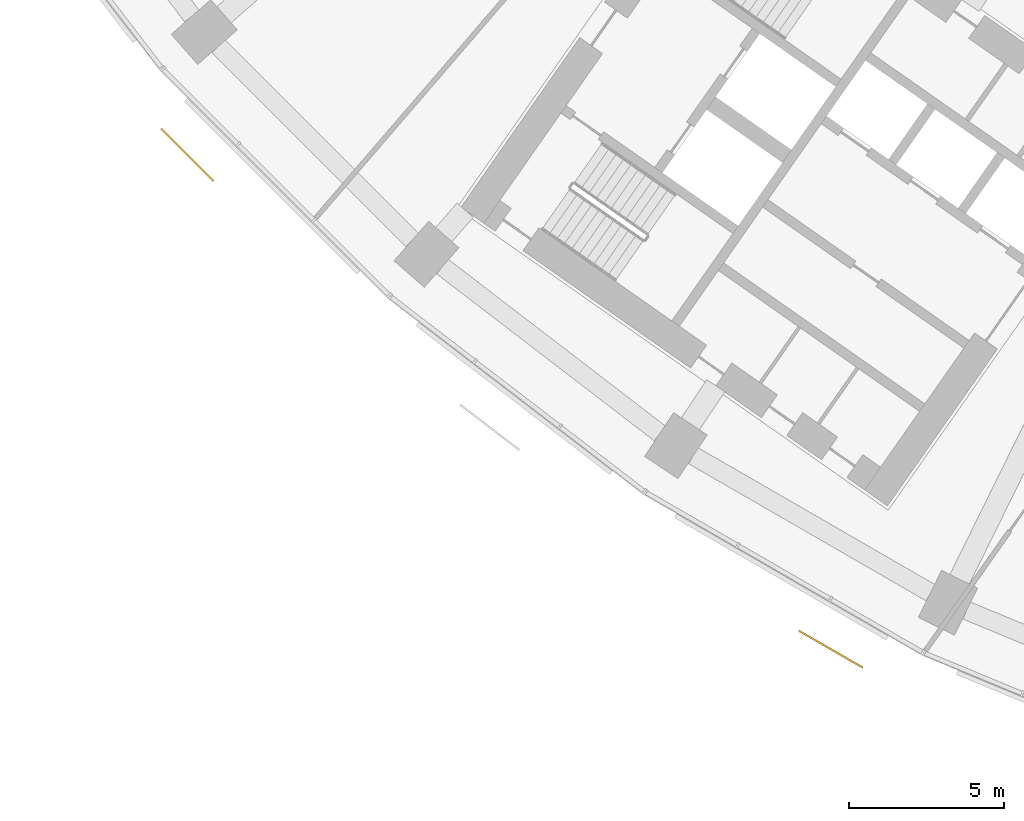
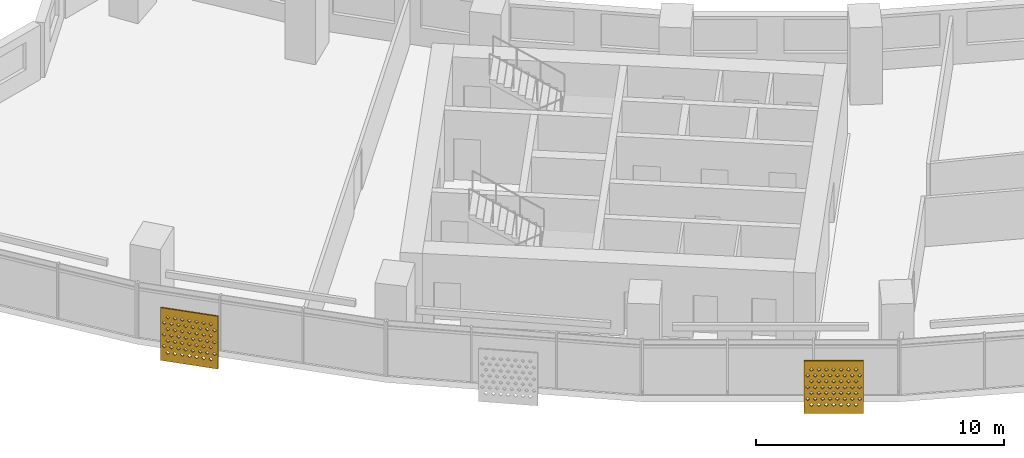
# One storey, part 24 of 29: 2 shading devices.
"""IFC4 building model written with IfcOpenShell, lengths in metres."""

from ifc_helpers import new_model, si_unit, direction, frame, origin, place, context, subcontext, project, spatial, polyline, outline, extrude, material, material_profile, profile_set, type_object, element, save


model = new_model("IFC4")

# Units and contexts
model_context = context("Model", 3, precision=1e-05, world=origin(), true_north=direction((0.0, 1.0)))
body_context = subcontext(model_context, "Body", "Model", "MODEL_VIEW")
ifc_project = project(units=[si_unit("LENGTHUNIT", "METRE"), si_unit("AREAUNIT", "SQUARE_METRE"), si_unit("VOLUMEUNIT", "CUBIC_METRE"), si_unit("PLANEANGLEUNIT", "RADIAN"), si_unit("MASSUNIT", "GRAM", prefix="KILO")], contexts=[model_context])

# Site, building, storey
site_placement = place(None, origin())
site = spatial("IfcSite", under=ifc_project, at=site_placement, CompositionType="ELEMENT")
building_placement = place(site_placement, origin())
building = spatial("IfcBuilding", under=site, at=building_placement, Name="Qamariyya Broadcast Tower", CompositionType="ELEMENT")
storey_placement = place(building_placement, frame((0.0, 0.0, 44.300048828125)))
storey = spatial("IfcBuildingStorey", under=building, at=storey_placement, Name="L07", CompositionType="ELEMENT", Elevation=44.300048828125)

# Shading devices
ifc_material = material(Name="Perforated glazed terracotta", Category="masonry")
ifc_material_profile = material_profile(ifc_material, outline(polyline([(-1.199951171875, -1.300048828125), (1.199951171875, -1.300048828125), (1.199951171875, 1.300048828125), (-1.199951171875, 1.300048828125), (-1.199951171875, -1.300048828125)]), holes=[polyline([(-0.81494140625, -0.86669921875), (-0.89990234375, -0.78173828125), (-0.985107421875, -0.86669921875), (-0.89990234375, -0.95166015625), (-0.81494140625, -0.86669921875)]), polyline([(-0.514892578125, -0.86669921875), (-0.60009765625, -0.78173828125), (-0.68505859375, -0.86669921875), (-0.60009765625, -0.95166015625), (-0.514892578125, -0.86669921875)]), polyline([(-0.215087890625, -0.86669921875), (-0.300048828125, -0.78173828125), (-0.385009765625, -0.86669921875), (-0.300048828125, -0.95166015625), (-0.215087890625, -0.86669921875)]), polyline([(0.0849609375, -0.86669921875), (0.0, -0.78173828125), (-0.0849609375, -0.86669921875), (0.0, -0.95166015625), (0.0849609375, -0.86669921875)]), polyline([(0.385009765625, -0.86669921875), (0.300048828125, -0.78173828125), (0.215087890625, -0.86669921875), (0.300048828125, -0.95166015625), (0.385009765625, -0.86669921875)]), polyline([(0.68505859375, -0.86669921875), (0.60009765625, -0.78173828125), (0.514892578125, -0.86669921875), (0.60009765625, -0.95166015625), (0.68505859375, -0.86669921875)]), polyline([(0.985107421875, -0.86669921875), (0.89990234375, -0.78173828125), (0.81494140625, -0.86669921875), (0.89990234375, -0.95166015625), (0.985107421875, -0.86669921875)]), polyline([(-0.965087890625, -0.577880859375), (-1.050048828125, -0.49267578125), (-1.135009765625, -0.577880859375), (-1.050048828125, -0.662841796875), (-0.965087890625, -0.577880859375)]), polyline([(-0.6650390625, -0.577880859375), (-0.75, -0.49267578125), (-0.8349609375, -0.577880859375), (-0.75, -0.662841796875), (-0.6650390625, -0.577880859375)]), polyline([(-0.364990234375, -0.577880859375), (-0.449951171875, -0.49267578125), (-0.534912109375, -0.577880859375), (-0.449951171875, -0.662841796875), (-0.364990234375, -0.577880859375)]), polyline([(-0.06494140625, -0.577880859375), (-0.14990234375, -0.49267578125), (-0.235107421875, -0.577880859375), (-0.14990234375, -0.662841796875), (-0.06494140625, -0.577880859375)]), polyline([(0.235107421875, -0.577880859375), (0.14990234375, -0.49267578125), (0.06494140625, -0.577880859375), (0.14990234375, -0.662841796875), (0.235107421875, -0.577880859375)]), polyline([(0.534912109375, -0.577880859375), (0.449951171875, -0.49267578125), (0.364990234375, -0.577880859375), (0.449951171875, -0.662841796875), (0.534912109375, -0.577880859375)]), polyline([(0.8349609375, -0.577880859375), (0.75, -0.49267578125), (0.6650390625, -0.577880859375), (0.75, -0.662841796875), (0.8349609375, -0.577880859375)]), polyline([(1.135009765625, -0.577880859375), (1.050048828125, -0.49267578125), (0.965087890625, -0.577880859375), (1.050048828125, -0.662841796875), (1.135009765625, -0.577880859375)]), polyline([(-0.81494140625, -0.288818359375), (-0.89990234375, -0.203857421875), (-0.985107421875, -0.288818359375), (-0.89990234375, -0.373779296875), (-0.81494140625, -0.288818359375)]), polyline([(-0.514892578125, -0.288818359375), (-0.60009765625, -0.203857421875), (-0.68505859375, -0.288818359375), (-0.60009765625, -0.373779296875), (-0.514892578125, -0.288818359375)]), polyline([(-0.215087890625, -0.288818359375), (-0.300048828125, -0.203857421875), (-0.385009765625, -0.288818359375), (-0.300048828125, -0.373779296875), (-0.215087890625, -0.288818359375)]), polyline([(0.0849609375, -0.288818359375), (0.0, -0.203857421875), (-0.0849609375, -0.288818359375), (0.0, -0.373779296875), (0.0849609375, -0.288818359375)]), polyline([(0.385009765625, -0.288818359375), (0.300048828125, -0.203857421875), (0.215087890625, -0.288818359375), (0.300048828125, -0.373779296875), (0.385009765625, -0.288818359375)]), polyline([(0.68505859375, -0.288818359375), (0.60009765625, -0.203857421875), (0.514892578125, -0.288818359375), (0.60009765625, -0.373779296875), (0.68505859375, -0.288818359375)]), polyline([(0.985107421875, -0.288818359375), (0.89990234375, -0.203857421875), (0.81494140625, -0.288818359375), (0.89990234375, -0.373779296875), (0.985107421875, -0.288818359375)]), polyline([(-0.965087890625, 0.0), (-1.050048828125, 0.0849609375), (-1.135009765625, 0.0), (-1.050048828125, -0.0849609375), (-0.965087890625, 0.0)]), polyline([(-0.6650390625, 0.0), (-0.75, 0.0849609375), (-0.8349609375, 0.0), (-0.75, -0.0849609375), (-0.6650390625, 0.0)]), polyline([(-0.364990234375, 0.0), (-0.449951171875, 0.0849609375), (-0.534912109375, 0.0), (-0.449951171875, -0.0849609375), (-0.364990234375, 0.0)]), polyline([(-0.06494140625, 0.0), (-0.14990234375, 0.0849609375), (-0.235107421875, 0.0), (-0.14990234375, -0.0849609375), (-0.06494140625, 0.0)]), polyline([(0.235107421875, 0.0), (0.14990234375, 0.0849609375), (0.06494140625, 0.0), (0.14990234375, -0.0849609375), (0.235107421875, 0.0)]), polyline([(0.534912109375, 0.0), (0.449951171875, 0.0849609375), (0.364990234375, 0.0), (0.449951171875, -0.0849609375), (0.534912109375, 0.0)]), polyline([(0.8349609375, 0.0), (0.75, 0.0849609375), (0.6650390625, 0.0), (0.75, -0.0849609375), (0.8349609375, 0.0)]), polyline([(1.135009765625, 0.0), (1.050048828125, 0.0849609375), (0.965087890625, 0.0), (1.050048828125, -0.0849609375), (1.135009765625, 0.0)]), polyline([(-0.81494140625, 0.288818359375), (-0.89990234375, 0.373779296875), (-0.985107421875, 0.288818359375), (-0.89990234375, 0.203857421875), (-0.81494140625, 0.288818359375)]), polyline([(-0.514892578125, 0.288818359375), (-0.60009765625, 0.373779296875), (-0.68505859375, 0.288818359375), (-0.60009765625, 0.203857421875), (-0.514892578125, 0.288818359375)]), polyline([(-0.215087890625, 0.288818359375), (-0.300048828125, 0.373779296875), (-0.385009765625, 0.288818359375), (-0.300048828125, 0.203857421875), (-0.215087890625, 0.288818359375)]), polyline([(0.0849609375, 0.288818359375), (0.0, 0.373779296875), (-0.0849609375, 0.288818359375), (0.0, 0.203857421875), (0.0849609375, 0.288818359375)]), polyline([(0.385009765625, 0.288818359375), (0.300048828125, 0.373779296875), (0.215087890625, 0.288818359375), (0.300048828125, 0.203857421875), (0.385009765625, 0.288818359375)]), polyline([(0.68505859375, 0.288818359375), (0.60009765625, 0.373779296875), (0.514892578125, 0.288818359375), (0.60009765625, 0.203857421875), (0.68505859375, 0.288818359375)]), polyline([(0.985107421875, 0.288818359375), (0.89990234375, 0.373779296875), (0.81494140625, 0.288818359375), (0.89990234375, 0.203857421875), (0.985107421875, 0.288818359375)]), polyline([(-0.965087890625, 0.577880859375), (-1.050048828125, 0.662841796875), (-1.135009765625, 0.577880859375), (-1.050048828125, 0.49267578125), (-0.965087890625, 0.577880859375)]), polyline([(-0.6650390625, 0.577880859375), (-0.75, 0.662841796875), (-0.8349609375, 0.577880859375), (-0.75, 0.49267578125), (-0.6650390625, 0.577880859375)]), polyline([(-0.364990234375, 0.577880859375), (-0.449951171875, 0.662841796875), (-0.534912109375, 0.577880859375), (-0.449951171875, 0.49267578125), (-0.364990234375, 0.577880859375)]), polyline([(-0.06494140625, 0.577880859375), (-0.14990234375, 0.662841796875), (-0.235107421875, 0.577880859375), (-0.14990234375, 0.49267578125), (-0.06494140625, 0.577880859375)]), polyline([(0.235107421875, 0.577880859375), (0.14990234375, 0.662841796875), (0.06494140625, 0.577880859375), (0.14990234375, 0.49267578125), (0.235107421875, 0.577880859375)]), polyline([(0.534912109375, 0.577880859375), (0.449951171875, 0.662841796875), (0.364990234375, 0.577880859375), (0.449951171875, 0.49267578125), (0.534912109375, 0.577880859375)]), polyline([(0.8349609375, 0.577880859375), (0.75, 0.662841796875), (0.6650390625, 0.577880859375), (0.75, 0.49267578125), (0.8349609375, 0.577880859375)]), polyline([(1.135009765625, 0.577880859375), (1.050048828125, 0.662841796875), (0.965087890625, 0.577880859375), (1.050048828125, 0.49267578125), (1.135009765625, 0.577880859375)]), polyline([(-0.81494140625, 0.86669921875), (-0.89990234375, 0.95166015625), (-0.985107421875, 0.86669921875), (-0.89990234375, 0.78173828125), (-0.81494140625, 0.86669921875)]), polyline([(-0.514892578125, 0.86669921875), (-0.60009765625, 0.95166015625), (-0.68505859375, 0.86669921875), (-0.60009765625, 0.78173828125), (-0.514892578125, 0.86669921875)]), polyline([(-0.215087890625, 0.86669921875), (-0.300048828125, 0.95166015625), (-0.385009765625, 0.86669921875), (-0.300048828125, 0.78173828125), (-0.215087890625, 0.86669921875)]), polyline([(0.0849609375, 0.86669921875), (0.0, 0.95166015625), (-0.0849609375, 0.86669921875), (0.0, 0.78173828125), (0.0849609375, 0.86669921875)]), polyline([(0.385009765625, 0.86669921875), (0.300048828125, 0.95166015625), (0.215087890625, 0.86669921875), (0.300048828125, 0.78173828125), (0.385009765625, 0.86669921875)]), polyline([(0.68505859375, 0.86669921875), (0.60009765625, 0.95166015625), (0.514892578125, 0.86669921875), (0.60009765625, 0.78173828125), (0.68505859375, 0.86669921875)]), polyline([(0.985107421875, 0.86669921875), (0.89990234375, 0.95166015625), (0.81494140625, 0.86669921875), (0.89990234375, 0.78173828125), (0.985107421875, 0.86669921875)])]))
ifc_profile_set = profile_set([ifc_material_profile], Name="Perforated glazed terracotta")
shading_device_type = type_object("IfcShadingDeviceType", Name="Perforated terracotta screen 2400 x 2600", PredefinedType="USERDEFINED", material=ifc_profile_set)
shading_device_1_placement = place(storey_placement, frame((-58.977294921875, -55.2197265625, 1.349853515625), z_axis=(-0.707106781187, -0.707106781187, 0.0), x_axis=(0.707106781187, -0.707106781187, 0.0)))
element("IfcShadingDevice", 1, at=shading_device_1_placement, inside=storey, type_object=shading_device_type, Name="e-scr-L07-02-0", ObjectType="SCREEN", PredefinedType="USERDEFINED", context=body_context, shape_type="SweptSolid", body=[
    extrude(outline(polyline([(-1.199951171875, -1.300048828125), (1.199951171875, -1.300048828125), (1.199951171875, 1.300048828125), (-1.199951171875, 1.300048828125), (-1.199951171875, -1.300048828125)]), holes=[polyline([(-0.81494140625, -0.86669921875), (-0.89990234375, -0.78173828125), (-0.985107421875, -0.86669921875), (-0.89990234375, -0.95166015625), (-0.81494140625, -0.86669921875)]), polyline([(-0.514892578125, -0.86669921875), (-0.60009765625, -0.78173828125), (-0.68505859375, -0.86669921875), (-0.60009765625, -0.95166015625), (-0.514892578125, -0.86669921875)]), polyline([(-0.215087890625, -0.86669921875), (-0.300048828125, -0.78173828125), (-0.385009765625, -0.86669921875), (-0.300048828125, -0.95166015625), (-0.215087890625, -0.86669921875)]), polyline([(0.0849609375, -0.86669921875), (0.0, -0.78173828125), (-0.0849609375, -0.86669921875), (0.0, -0.95166015625), (0.0849609375, -0.86669921875)]), polyline([(0.385009765625, -0.86669921875), (0.300048828125, -0.78173828125), (0.215087890625, -0.86669921875), (0.300048828125, -0.95166015625), (0.385009765625, -0.86669921875)]), polyline([(0.68505859375, -0.86669921875), (0.60009765625, -0.78173828125), (0.514892578125, -0.86669921875), (0.60009765625, -0.95166015625), (0.68505859375, -0.86669921875)]), polyline([(0.985107421875, -0.86669921875), (0.89990234375, -0.78173828125), (0.81494140625, -0.86669921875), (0.89990234375, -0.95166015625), (0.985107421875, -0.86669921875)]), polyline([(-0.965087890625, -0.577880859375), (-1.050048828125, -0.49267578125), (-1.135009765625, -0.577880859375), (-1.050048828125, -0.662841796875), (-0.965087890625, -0.577880859375)]), polyline([(-0.6650390625, -0.577880859375), (-0.75, -0.49267578125), (-0.8349609375, -0.577880859375), (-0.75, -0.662841796875), (-0.6650390625, -0.577880859375)]), polyline([(-0.364990234375, -0.577880859375), (-0.449951171875, -0.49267578125), (-0.534912109375, -0.577880859375), (-0.449951171875, -0.662841796875), (-0.364990234375, -0.577880859375)]), polyline([(-0.06494140625, -0.577880859375), (-0.14990234375, -0.49267578125), (-0.235107421875, -0.577880859375), (-0.14990234375, -0.662841796875), (-0.06494140625, -0.577880859375)]), polyline([(0.235107421875, -0.577880859375), (0.14990234375, -0.49267578125), (0.06494140625, -0.577880859375), (0.14990234375, -0.662841796875), (0.235107421875, -0.577880859375)]), polyline([(0.534912109375, -0.577880859375), (0.449951171875, -0.49267578125), (0.364990234375, -0.577880859375), (0.449951171875, -0.662841796875), (0.534912109375, -0.577880859375)]), polyline([(0.8349609375, -0.577880859375), (0.75, -0.49267578125), (0.6650390625, -0.577880859375), (0.75, -0.662841796875), (0.8349609375, -0.577880859375)]), polyline([(1.135009765625, -0.577880859375), (1.050048828125, -0.49267578125), (0.965087890625, -0.577880859375), (1.050048828125, -0.662841796875), (1.135009765625, -0.577880859375)]), polyline([(-0.81494140625, -0.288818359375), (-0.89990234375, -0.203857421875), (-0.985107421875, -0.288818359375), (-0.89990234375, -0.373779296875), (-0.81494140625, -0.288818359375)]), polyline([(-0.514892578125, -0.288818359375), (-0.60009765625, -0.203857421875), (-0.68505859375, -0.288818359375), (-0.60009765625, -0.373779296875), (-0.514892578125, -0.288818359375)]), polyline([(-0.215087890625, -0.288818359375), (-0.300048828125, -0.203857421875), (-0.385009765625, -0.288818359375), (-0.300048828125, -0.373779296875), (-0.215087890625, -0.288818359375)]), polyline([(0.0849609375, -0.288818359375), (0.0, -0.203857421875), (-0.0849609375, -0.288818359375), (0.0, -0.373779296875), (0.0849609375, -0.288818359375)]), polyline([(0.385009765625, -0.288818359375), (0.300048828125, -0.203857421875), (0.215087890625, -0.288818359375), (0.300048828125, -0.373779296875), (0.385009765625, -0.288818359375)]), polyline([(0.68505859375, -0.288818359375), (0.60009765625, -0.203857421875), (0.514892578125, -0.288818359375), (0.60009765625, -0.373779296875), (0.68505859375, -0.288818359375)]), polyline([(0.985107421875, -0.288818359375), (0.89990234375, -0.203857421875), (0.81494140625, -0.288818359375), (0.89990234375, -0.373779296875), (0.985107421875, -0.288818359375)]), polyline([(-0.965087890625, 0.0), (-1.050048828125, 0.0849609375), (-1.135009765625, 0.0), (-1.050048828125, -0.0849609375), (-0.965087890625, 0.0)]), polyline([(-0.6650390625, 0.0), (-0.75, 0.0849609375), (-0.8349609375, 0.0), (-0.75, -0.0849609375), (-0.6650390625, 0.0)]), polyline([(-0.364990234375, 0.0), (-0.449951171875, 0.0849609375), (-0.534912109375, 0.0), (-0.449951171875, -0.0849609375), (-0.364990234375, 0.0)]), polyline([(-0.06494140625, 0.0), (-0.14990234375, 0.0849609375), (-0.235107421875, 0.0), (-0.14990234375, -0.0849609375), (-0.06494140625, 0.0)]), polyline([(0.235107421875, 0.0), (0.14990234375, 0.0849609375), (0.06494140625, 0.0), (0.14990234375, -0.0849609375), (0.235107421875, 0.0)]), polyline([(0.534912109375, 0.0), (0.449951171875, 0.0849609375), (0.364990234375, 0.0), (0.449951171875, -0.0849609375), (0.534912109375, 0.0)]), polyline([(0.8349609375, 0.0), (0.75, 0.0849609375), (0.6650390625, 0.0), (0.75, -0.0849609375), (0.8349609375, 0.0)]), polyline([(1.135009765625, 0.0), (1.050048828125, 0.0849609375), (0.965087890625, 0.0), (1.050048828125, -0.0849609375), (1.135009765625, 0.0)]), polyline([(-0.81494140625, 0.288818359375), (-0.89990234375, 0.373779296875), (-0.985107421875, 0.288818359375), (-0.89990234375, 0.203857421875), (-0.81494140625, 0.288818359375)]), polyline([(-0.514892578125, 0.288818359375), (-0.60009765625, 0.373779296875), (-0.68505859375, 0.288818359375), (-0.60009765625, 0.203857421875), (-0.514892578125, 0.288818359375)]), polyline([(-0.215087890625, 0.288818359375), (-0.300048828125, 0.373779296875), (-0.385009765625, 0.288818359375), (-0.300048828125, 0.203857421875), (-0.215087890625, 0.288818359375)]), polyline([(0.0849609375, 0.288818359375), (0.0, 0.373779296875), (-0.0849609375, 0.288818359375), (0.0, 0.203857421875), (0.0849609375, 0.288818359375)]), polyline([(0.385009765625, 0.288818359375), (0.300048828125, 0.373779296875), (0.215087890625, 0.288818359375), (0.300048828125, 0.203857421875), (0.385009765625, 0.288818359375)]), polyline([(0.68505859375, 0.288818359375), (0.60009765625, 0.373779296875), (0.514892578125, 0.288818359375), (0.60009765625, 0.203857421875), (0.68505859375, 0.288818359375)]), polyline([(0.985107421875, 0.288818359375), (0.89990234375, 0.373779296875), (0.81494140625, 0.288818359375), (0.89990234375, 0.203857421875), (0.985107421875, 0.288818359375)]), polyline([(-0.965087890625, 0.577880859375), (-1.050048828125, 0.662841796875), (-1.135009765625, 0.577880859375), (-1.050048828125, 0.49267578125), (-0.965087890625, 0.577880859375)]), polyline([(-0.6650390625, 0.577880859375), (-0.75, 0.662841796875), (-0.8349609375, 0.577880859375), (-0.75, 0.49267578125), (-0.6650390625, 0.577880859375)]), polyline([(-0.364990234375, 0.577880859375), (-0.449951171875, 0.662841796875), (-0.534912109375, 0.577880859375), (-0.449951171875, 0.49267578125), (-0.364990234375, 0.577880859375)]), polyline([(-0.06494140625, 0.577880859375), (-0.14990234375, 0.662841796875), (-0.235107421875, 0.577880859375), (-0.14990234375, 0.49267578125), (-0.06494140625, 0.577880859375)]), polyline([(0.235107421875, 0.577880859375), (0.14990234375, 0.662841796875), (0.06494140625, 0.577880859375), (0.14990234375, 0.49267578125), (0.235107421875, 0.577880859375)]), polyline([(0.534912109375, 0.577880859375), (0.449951171875, 0.662841796875), (0.364990234375, 0.577880859375), (0.449951171875, 0.49267578125), (0.534912109375, 0.577880859375)]), polyline([(0.8349609375, 0.577880859375), (0.75, 0.662841796875), (0.6650390625, 0.577880859375), (0.75, 0.49267578125), (0.8349609375, 0.577880859375)]), polyline([(1.135009765625, 0.577880859375), (1.050048828125, 0.662841796875), (0.965087890625, 0.577880859375), (1.050048828125, 0.49267578125), (1.135009765625, 0.577880859375)]), polyline([(-0.81494140625, 0.86669921875), (-0.89990234375, 0.95166015625), (-0.985107421875, 0.86669921875), (-0.89990234375, 0.78173828125), (-0.81494140625, 0.86669921875)]), polyline([(-0.514892578125, 0.86669921875), (-0.60009765625, 0.95166015625), (-0.68505859375, 0.86669921875), (-0.60009765625, 0.78173828125), (-0.514892578125, 0.86669921875)]), polyline([(-0.215087890625, 0.86669921875), (-0.300048828125, 0.95166015625), (-0.385009765625, 0.86669921875), (-0.300048828125, 0.78173828125), (-0.215087890625, 0.86669921875)]), polyline([(0.0849609375, 0.86669921875), (0.0, 0.95166015625), (-0.0849609375, 0.86669921875), (0.0, 0.78173828125), (0.0849609375, 0.86669921875)]), polyline([(0.385009765625, 0.86669921875), (0.300048828125, 0.95166015625), (0.215087890625, 0.86669921875), (0.300048828125, 0.78173828125), (0.385009765625, 0.86669921875)]), polyline([(0.68505859375, 0.86669921875), (0.60009765625, 0.95166015625), (0.514892578125, 0.86669921875), (0.60009765625, 0.78173828125), (0.68505859375, 0.86669921875)]), polyline([(0.985107421875, 0.86669921875), (0.89990234375, 0.95166015625), (0.81494140625, 0.86669921875), (0.89990234375, 0.78173828125), (0.985107421875, 0.86669921875)])]), origin(), (0.0, 0.0, 1.0), 0.06005859375),
])
shading_device_2_placement = place(storey_placement, frame((-38.164306640625, -71.207275390625, 1.349853515625), z_axis=(-0.500074377092, -0.865982457891, 0.0), x_axis=(0.865982457891, -0.500074377092, 0.0)))
element("IfcShadingDevice", 2, at=shading_device_2_placement, inside=storey, type_object=shading_device_type, Name="e-scr-L07-04-2", ObjectType="SCREEN", PredefinedType="USERDEFINED", context=body_context, shape_type="SweptSolid", body=[
    extrude(outline(polyline([(-1.199951171875, -1.300048828125), (1.199951171875, -1.300048828125), (1.199951171875, 1.300048828125), (-1.199951171875, 1.300048828125), (-1.199951171875, -1.300048828125)]), holes=[polyline([(-0.81494140625, -0.86669921875), (-0.89990234375, -0.78173828125), (-0.985107421875, -0.86669921875), (-0.89990234375, -0.95166015625), (-0.81494140625, -0.86669921875)]), polyline([(-0.514892578125, -0.86669921875), (-0.60009765625, -0.78173828125), (-0.68505859375, -0.86669921875), (-0.60009765625, -0.95166015625), (-0.514892578125, -0.86669921875)]), polyline([(-0.215087890625, -0.86669921875), (-0.300048828125, -0.78173828125), (-0.385009765625, -0.86669921875), (-0.300048828125, -0.95166015625), (-0.215087890625, -0.86669921875)]), polyline([(0.0849609375, -0.86669921875), (0.0, -0.78173828125), (-0.0849609375, -0.86669921875), (0.0, -0.95166015625), (0.0849609375, -0.86669921875)]), polyline([(0.385009765625, -0.86669921875), (0.300048828125, -0.78173828125), (0.215087890625, -0.86669921875), (0.300048828125, -0.95166015625), (0.385009765625, -0.86669921875)]), polyline([(0.68505859375, -0.86669921875), (0.60009765625, -0.78173828125), (0.514892578125, -0.86669921875), (0.60009765625, -0.95166015625), (0.68505859375, -0.86669921875)]), polyline([(0.985107421875, -0.86669921875), (0.89990234375, -0.78173828125), (0.81494140625, -0.86669921875), (0.89990234375, -0.95166015625), (0.985107421875, -0.86669921875)]), polyline([(-0.965087890625, -0.577880859375), (-1.050048828125, -0.49267578125), (-1.135009765625, -0.577880859375), (-1.050048828125, -0.662841796875), (-0.965087890625, -0.577880859375)]), polyline([(-0.6650390625, -0.577880859375), (-0.75, -0.49267578125), (-0.8349609375, -0.577880859375), (-0.75, -0.662841796875), (-0.6650390625, -0.577880859375)]), polyline([(-0.364990234375, -0.577880859375), (-0.449951171875, -0.49267578125), (-0.534912109375, -0.577880859375), (-0.449951171875, -0.662841796875), (-0.364990234375, -0.577880859375)]), polyline([(-0.06494140625, -0.577880859375), (-0.14990234375, -0.49267578125), (-0.235107421875, -0.577880859375), (-0.14990234375, -0.662841796875), (-0.06494140625, -0.577880859375)]), polyline([(0.235107421875, -0.577880859375), (0.14990234375, -0.49267578125), (0.06494140625, -0.577880859375), (0.14990234375, -0.662841796875), (0.235107421875, -0.577880859375)]), polyline([(0.534912109375, -0.577880859375), (0.449951171875, -0.49267578125), (0.364990234375, -0.577880859375), (0.449951171875, -0.662841796875), (0.534912109375, -0.577880859375)]), polyline([(0.8349609375, -0.577880859375), (0.75, -0.49267578125), (0.6650390625, -0.577880859375), (0.75, -0.662841796875), (0.8349609375, -0.577880859375)]), polyline([(1.135009765625, -0.577880859375), (1.050048828125, -0.49267578125), (0.965087890625, -0.577880859375), (1.050048828125, -0.662841796875), (1.135009765625, -0.577880859375)]), polyline([(-0.81494140625, -0.288818359375), (-0.89990234375, -0.203857421875), (-0.985107421875, -0.288818359375), (-0.89990234375, -0.373779296875), (-0.81494140625, -0.288818359375)]), polyline([(-0.514892578125, -0.288818359375), (-0.60009765625, -0.203857421875), (-0.68505859375, -0.288818359375), (-0.60009765625, -0.373779296875), (-0.514892578125, -0.288818359375)]), polyline([(-0.215087890625, -0.288818359375), (-0.300048828125, -0.203857421875), (-0.385009765625, -0.288818359375), (-0.300048828125, -0.373779296875), (-0.215087890625, -0.288818359375)]), polyline([(0.0849609375, -0.288818359375), (0.0, -0.203857421875), (-0.0849609375, -0.288818359375), (0.0, -0.373779296875), (0.0849609375, -0.288818359375)]), polyline([(0.385009765625, -0.288818359375), (0.300048828125, -0.203857421875), (0.215087890625, -0.288818359375), (0.300048828125, -0.373779296875), (0.385009765625, -0.288818359375)]), polyline([(0.68505859375, -0.288818359375), (0.60009765625, -0.203857421875), (0.514892578125, -0.288818359375), (0.60009765625, -0.373779296875), (0.68505859375, -0.288818359375)]), polyline([(0.985107421875, -0.288818359375), (0.89990234375, -0.203857421875), (0.81494140625, -0.288818359375), (0.89990234375, -0.373779296875), (0.985107421875, -0.288818359375)]), polyline([(-0.965087890625, 0.0), (-1.050048828125, 0.0849609375), (-1.135009765625, 0.0), (-1.050048828125, -0.0849609375), (-0.965087890625, 0.0)]), polyline([(-0.6650390625, 0.0), (-0.75, 0.0849609375), (-0.8349609375, 0.0), (-0.75, -0.0849609375), (-0.6650390625, 0.0)]), polyline([(-0.364990234375, 0.0), (-0.449951171875, 0.0849609375), (-0.534912109375, 0.0), (-0.449951171875, -0.0849609375), (-0.364990234375, 0.0)]), polyline([(-0.06494140625, 0.0), (-0.14990234375, 0.0849609375), (-0.235107421875, 0.0), (-0.14990234375, -0.0849609375), (-0.06494140625, 0.0)]), polyline([(0.235107421875, 0.0), (0.14990234375, 0.0849609375), (0.06494140625, 0.0), (0.14990234375, -0.0849609375), (0.235107421875, 0.0)]), polyline([(0.534912109375, 0.0), (0.449951171875, 0.0849609375), (0.364990234375, 0.0), (0.449951171875, -0.0849609375), (0.534912109375, 0.0)]), polyline([(0.8349609375, 0.0), (0.75, 0.0849609375), (0.6650390625, 0.0), (0.75, -0.0849609375), (0.8349609375, 0.0)]), polyline([(1.135009765625, 0.0), (1.050048828125, 0.0849609375), (0.965087890625, 0.0), (1.050048828125, -0.0849609375), (1.135009765625, 0.0)]), polyline([(-0.81494140625, 0.288818359375), (-0.89990234375, 0.373779296875), (-0.985107421875, 0.288818359375), (-0.89990234375, 0.203857421875), (-0.81494140625, 0.288818359375)]), polyline([(-0.514892578125, 0.288818359375), (-0.60009765625, 0.373779296875), (-0.68505859375, 0.288818359375), (-0.60009765625, 0.203857421875), (-0.514892578125, 0.288818359375)]), polyline([(-0.215087890625, 0.288818359375), (-0.300048828125, 0.373779296875), (-0.385009765625, 0.288818359375), (-0.300048828125, 0.203857421875), (-0.215087890625, 0.288818359375)]), polyline([(0.0849609375, 0.288818359375), (0.0, 0.373779296875), (-0.0849609375, 0.288818359375), (0.0, 0.203857421875), (0.0849609375, 0.288818359375)]), polyline([(0.385009765625, 0.288818359375), (0.300048828125, 0.373779296875), (0.215087890625, 0.288818359375), (0.300048828125, 0.203857421875), (0.385009765625, 0.288818359375)]), polyline([(0.68505859375, 0.288818359375), (0.60009765625, 0.373779296875), (0.514892578125, 0.288818359375), (0.60009765625, 0.203857421875), (0.68505859375, 0.288818359375)]), polyline([(0.985107421875, 0.288818359375), (0.89990234375, 0.373779296875), (0.81494140625, 0.288818359375), (0.89990234375, 0.203857421875), (0.985107421875, 0.288818359375)]), polyline([(-0.965087890625, 0.577880859375), (-1.050048828125, 0.662841796875), (-1.135009765625, 0.577880859375), (-1.050048828125, 0.49267578125), (-0.965087890625, 0.577880859375)]), polyline([(-0.6650390625, 0.577880859375), (-0.75, 0.662841796875), (-0.8349609375, 0.577880859375), (-0.75, 0.49267578125), (-0.6650390625, 0.577880859375)]), polyline([(-0.364990234375, 0.577880859375), (-0.449951171875, 0.662841796875), (-0.534912109375, 0.577880859375), (-0.449951171875, 0.49267578125), (-0.364990234375, 0.577880859375)]), polyline([(-0.06494140625, 0.577880859375), (-0.14990234375, 0.662841796875), (-0.235107421875, 0.577880859375), (-0.14990234375, 0.49267578125), (-0.06494140625, 0.577880859375)]), polyline([(0.235107421875, 0.577880859375), (0.14990234375, 0.662841796875), (0.06494140625, 0.577880859375), (0.14990234375, 0.49267578125), (0.235107421875, 0.577880859375)]), polyline([(0.534912109375, 0.577880859375), (0.449951171875, 0.662841796875), (0.364990234375, 0.577880859375), (0.449951171875, 0.49267578125), (0.534912109375, 0.577880859375)]), polyline([(0.8349609375, 0.577880859375), (0.75, 0.662841796875), (0.6650390625, 0.577880859375), (0.75, 0.49267578125), (0.8349609375, 0.577880859375)]), polyline([(1.135009765625, 0.577880859375), (1.050048828125, 0.662841796875), (0.965087890625, 0.577880859375), (1.050048828125, 0.49267578125), (1.135009765625, 0.577880859375)]), polyline([(-0.81494140625, 0.86669921875), (-0.89990234375, 0.95166015625), (-0.985107421875, 0.86669921875), (-0.89990234375, 0.78173828125), (-0.81494140625, 0.86669921875)]), polyline([(-0.514892578125, 0.86669921875), (-0.60009765625, 0.95166015625), (-0.68505859375, 0.86669921875), (-0.60009765625, 0.78173828125), (-0.514892578125, 0.86669921875)]), polyline([(-0.215087890625, 0.86669921875), (-0.300048828125, 0.95166015625), (-0.385009765625, 0.86669921875), (-0.300048828125, 0.78173828125), (-0.215087890625, 0.86669921875)]), polyline([(0.0849609375, 0.86669921875), (0.0, 0.95166015625), (-0.0849609375, 0.86669921875), (0.0, 0.78173828125), (0.0849609375, 0.86669921875)]), polyline([(0.385009765625, 0.86669921875), (0.300048828125, 0.95166015625), (0.215087890625, 0.86669921875), (0.300048828125, 0.78173828125), (0.385009765625, 0.86669921875)]), polyline([(0.68505859375, 0.86669921875), (0.60009765625, 0.95166015625), (0.514892578125, 0.86669921875), (0.60009765625, 0.78173828125), (0.68505859375, 0.86669921875)]), polyline([(0.985107421875, 0.86669921875), (0.89990234375, 0.95166015625), (0.81494140625, 0.86669921875), (0.89990234375, 0.78173828125), (0.985107421875, 0.86669921875)])]), origin(), (0.0, 0.0, 1.0), 0.06005859375),
])

save(model, "model.ifc")
